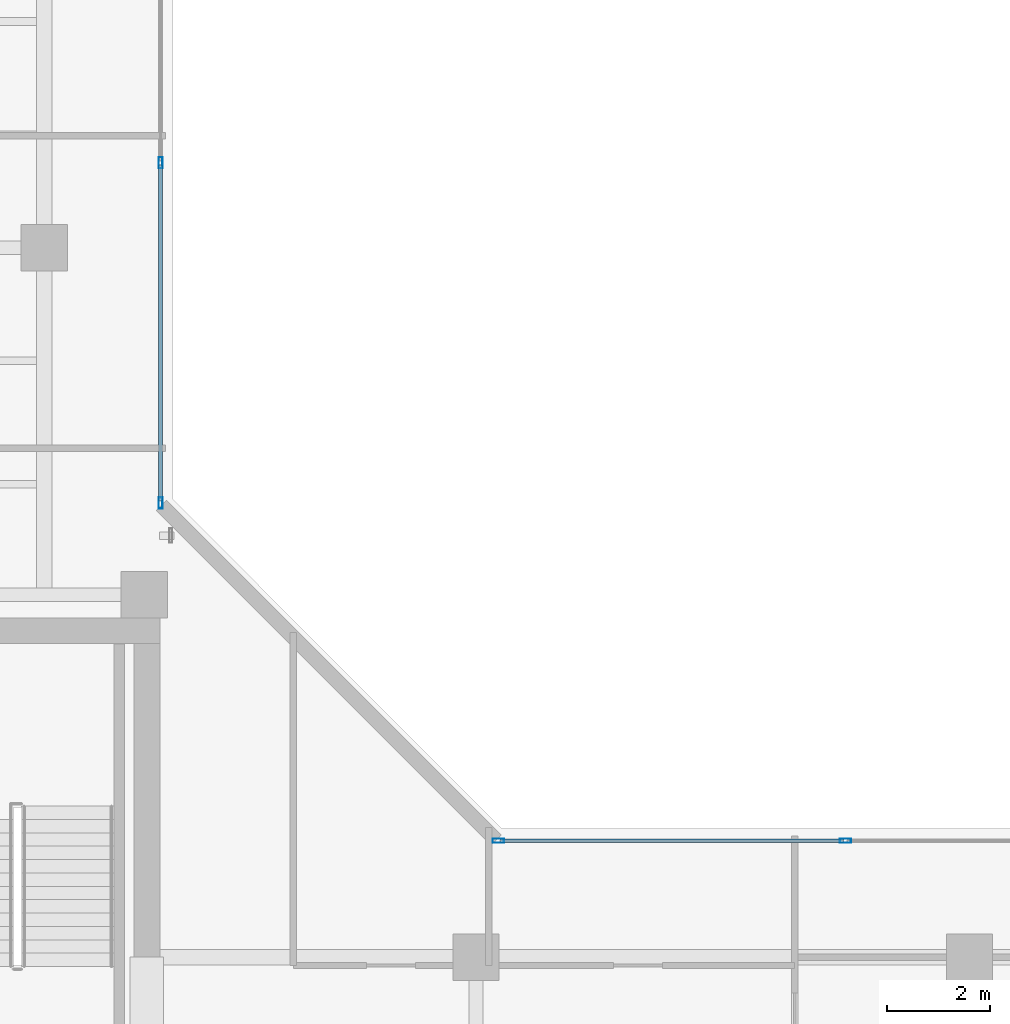
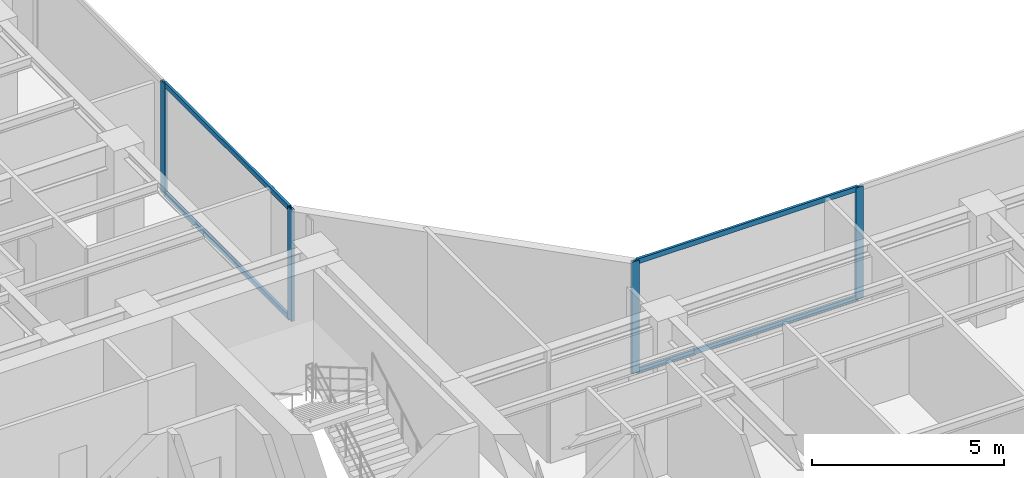
# One storey, part 10 of 23: 8 members, 2 elements without a shape of their own.
"""IFC4 building model written with IfcOpenShell, lengths in metres."""

from ifc_helpers import new_model, si_unit, direction, frame, origin, origin_with_axes, origin_2d, place, context, subcontext, project, spatial, hollow_rectangle, extrude, source, transform, mapped, material, layer, layer_set, material_profile, profile_set, type_object, element, aggregate, save


model = new_model("IFC4")

# Units and contexts
model_context = context("Model", 3, precision=1e-05, world=origin(), true_north=direction((0.0, 1.0)))
body_context = subcontext(model_context, "Body", "Model", "MODEL_VIEW")
ifc_project = project(units=[si_unit("LENGTHUNIT", "METRE"), si_unit("AREAUNIT", "SQUARE_METRE"), si_unit("VOLUMEUNIT", "CUBIC_METRE"), si_unit("PLANEANGLEUNIT", "RADIAN"), si_unit("MASSUNIT", "GRAM", prefix="KILO")], contexts=[model_context])

# Site, building, storey
site_placement = place(None, origin())
site = spatial("IfcSite", under=ifc_project, at=site_placement, CompositionType="ELEMENT")
building_placement = place(site_placement, origin())
building = spatial("IfcBuilding", under=site, at=building_placement, Name="Kolvaren Waterfront Exchange", CompositionType="ELEMENT")
storey_placement = place(building_placement, frame((0.0, 0.0, 297.0)))
storey = spatial("IfcBuildingStorey", under=building, at=storey_placement, Name="L76", CompositionType="ELEMENT", Elevation=297.0)

# Curtain wall, members
ifc_material_1 = material(Name="Anodised bronze aluminium 6063-T6", Category="aluminium")
ifc_layer = layer(ifc_material_1, 0.219970703125, Name="Anodised bronze aluminium 6063-T6")
ifc_layer_set = layer_set([ifc_layer], Name="Anodised bronze aluminium 6063-T6")
curtain_wall_type = type_object("IfcCurtainWallType", Name="ARC-CW-SYS1", PredefinedType="USERDEFINED", material=ifc_layer_set)
curtain_wall_1_placement = place(storey_placement, origin())
curtain_wall_1 = element("IfcCurtainWall", 1, at=curtain_wall_1_placement, inside=storey, type_object=curtain_wall_type, Name="L76 stick curtain wall CW1 (CW-L76-NE)", ObjectType="STICK CURTAIN WALL", PredefinedType="USERDEFINED")
ifc_material_2 = material(Name="Anodised aluminium 6063-T6", Category="aluminium")
ifc_material_profile_1 = material_profile(ifc_material_2, hollow_rectangle(XDim=0.080078125, YDim=0.219970703125, WallThickness=0.0048828125, at=origin_2d()), Name="ALU-MUL-220x80x5")
ifc_profile_set_1 = profile_set([ifc_material_profile_1], Name="Anodised aluminium 6063-T6")
member_type_1 = type_object("IfcMemberType", Name="ARC-CWM-220", PredefinedType="MULLION", material=ifc_profile_set_1)
shared_shape_1 = source(origin_with_axes(), body_context, "Body", "SweptSolid", [
    extrude(hollow_rectangle(XDim=0.080078125, YDim=0.219970703125, WallThickness=0.0048828125, at=origin_2d()), origin(), (0.0, 0.0, 1.0), 3.56005859375),
])
member_1_placement = place(storey_placement, frame((21.065185546875, 26.2353515625, 0.0), z_axis=(0.0, 0.0, 1.0), x_axis=(-1.0, 0.0, 0.0)))
member_1 = element("IfcMember", 2, at=member_1_placement, type_object=member_type_1, Name="CW1 mullion 1", PredefinedType="MULLION", context=body_context, shape_type="MappedRepresentation", body=[
    mapped(shared_shape_1, transform((0.0, 0.0, 0.0), x_axis=(1.0, 0.0, 0.0), y_axis=(0.0, 1.0, 0.0), z_axis=(0.0, 0.0, 1.0), scale=1.0)),
])
member_2_placement = place(storey_placement, frame((21.065185546875, 32.85302734375, 0.0), z_axis=(0.0, 0.0, 1.0), x_axis=(-1.0, 0.0, 0.0)))
member_2 = element("IfcMember", 3, at=member_2_placement, type_object=member_type_1, Name="CW1 mullion 2", PredefinedType="MULLION", context=body_context, shape_type="MappedRepresentation", body=[
    mapped(shared_shape_1, transform((0.0, 0.0, 0.0), x_axis=(1.0, 0.0, 0.0), y_axis=(0.0, 1.0, 0.0), z_axis=(0.0, 0.0, 1.0), scale=1.0)),
])

curtain_wall_2_placement = place(storey_placement, origin())
curtain_wall_2 = element("IfcCurtainWall", 4, at=curtain_wall_2_placement, inside=storey, type_object=curtain_wall_type, Name="L76 stick curtain wall CW1 (CW-L76-EN)", ObjectType="STICK CURTAIN WALL", PredefinedType="USERDEFINED")
member_3_placement = place(storey_placement, frame((27.63525390625, 19.665283203125, 0.0), z_axis=(0.0, 0.0, 1.0), x_axis=(0.0, 1.0, 0.0)))
member_3 = element("IfcMember", 5, at=member_3_placement, type_object=member_type_1, Name="CW1 mullion 1", PredefinedType="MULLION", context=body_context, shape_type="MappedRepresentation", body=[
    mapped(shared_shape_1, transform((0.0, 0.0, 0.0), x_axis=(1.0, 0.0, 0.0), y_axis=(0.0, 1.0, 0.0), z_axis=(0.0, 0.0, 1.0), scale=1.0)),
])
member_4_placement = place(storey_placement, frame((34.38623046875, 19.665283203125, 0.0), z_axis=(0.0, 0.0, 1.0), x_axis=(0.0, 1.0, 0.0)))
member_4 = element("IfcMember", 6, at=member_4_placement, type_object=member_type_1, Name="CW1 mullion 2", PredefinedType="MULLION", context=body_context, shape_type="MappedRepresentation", body=[
    mapped(shared_shape_1, transform((0.0, 0.0, 0.0), x_axis=(1.0, 0.0, 0.0), y_axis=(0.0, 1.0, 0.0), z_axis=(0.0, 0.0, 1.0), scale=1.0)),
])

# Member
ifc_material_profile_2 = material_profile(ifc_material_2, hollow_rectangle(XDim=0.074951171875, YDim=0.159912109375, WallThickness=0.00439453125, at=origin_2d()), Name="ALU-TRN-160x75x4.5")
ifc_profile_set_2 = profile_set([ifc_material_profile_2], Name="Anodised aluminium 6063-T6")
member_type_2 = type_object("IfcMemberType", Name="ARC-CWT-160", PredefinedType="USERDEFINED", material=ifc_profile_set_2)
shared_shape_2 = source(origin_with_axes(), body_context, "Body", "SweptSolid", [
    extrude(hollow_rectangle(XDim=0.074951171875, YDim=0.159912109375, WallThickness=0.00439453125, at=origin_2d()), origin(), (0.0, 0.0, 1.0), 6.53759765625),
])
member_5_placement = place(storey_placement, frame((21.065185546875, 26.275390625, 0.03759765625), z_axis=(0.0, 1.0, 0.0), x_axis=(-1.0, 0.0, 0.0)))
member_5 = element("IfcMember", 7, at=member_5_placement, type_object=member_type_2, Name="CW1 transom 1.1", ObjectType="TRANSOM", PredefinedType="USERDEFINED", context=body_context, shape_type="MappedRepresentation", body=[
    mapped(shared_shape_2, transform((0.0, 0.0, 0.0), x_axis=(1.0, 0.0, 0.0), y_axis=(0.0, 1.0, 0.0), z_axis=(0.0, 0.0, 1.0), scale=1.0)),
])

member_6_placement = place(storey_placement, frame((21.065185546875, 26.275390625, 3.5224609375), z_axis=(0.0, 1.0, 0.0), x_axis=(-1.0, 0.0, 0.0)))
member_6 = element("IfcMember", 8, at=member_6_placement, type_object=member_type_2, Name="CW1 transom 1.2", ObjectType="TRANSOM", PredefinedType="USERDEFINED", context=body_context, shape_type="MappedRepresentation", body=[
    mapped(shared_shape_2, transform((0.0, 0.0, 0.0), x_axis=(1.0, 0.0, 0.0), y_axis=(0.0, 1.0, 0.0), z_axis=(0.0, 0.0, 1.0), scale=1.0)),
])

aggregate(curtain_wall_1, [member_1, member_2, member_5, member_6])

shared_shape_3 = source(origin_with_axes(), body_context, "Body", "SweptSolid", [
    extrude(hollow_rectangle(XDim=0.074951171875, YDim=0.159912109375, WallThickness=0.00439453125, at=origin_2d()), origin(), (0.0, 0.0, 1.0), 6.671142578125),
])
member_7_placement = place(storey_placement, frame((27.67529296875, 19.665283203125, 0.03759765625), z_axis=(1.0, 0.0, 0.0), x_axis=(0.0, 1.0, 0.0)))
member_7 = element("IfcMember", 9, at=member_7_placement, type_object=member_type_2, Name="CW1 transom 1.1", ObjectType="TRANSOM", PredefinedType="USERDEFINED", context=body_context, shape_type="MappedRepresentation", body=[
    mapped(shared_shape_3, transform((0.0, 0.0, 0.0), x_axis=(1.0, 0.0, 0.0), y_axis=(0.0, 1.0, 0.0), z_axis=(0.0, 0.0, 1.0), scale=1.0)),
])

member_8_placement = place(storey_placement, frame((27.67529296875, 19.665283203125, 3.5224609375), z_axis=(1.0, 0.0, 0.0), x_axis=(0.0, 1.0, 0.0)))
member_8 = element("IfcMember", 10, at=member_8_placement, type_object=member_type_2, Name="CW1 transom 1.2", ObjectType="TRANSOM", PredefinedType="USERDEFINED", context=body_context, shape_type="MappedRepresentation", body=[
    mapped(shared_shape_3, transform((0.0, 0.0, 0.0), x_axis=(1.0, 0.0, 0.0), y_axis=(0.0, 1.0, 0.0), z_axis=(0.0, 0.0, 1.0), scale=1.0)),
])

aggregate(curtain_wall_2, [member_3, member_4, member_7, member_8])

save(model, "model.ifc")
